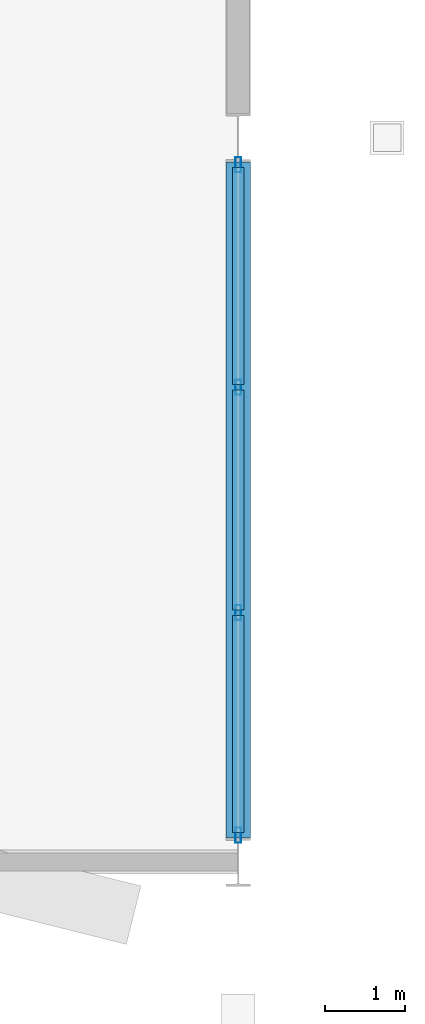
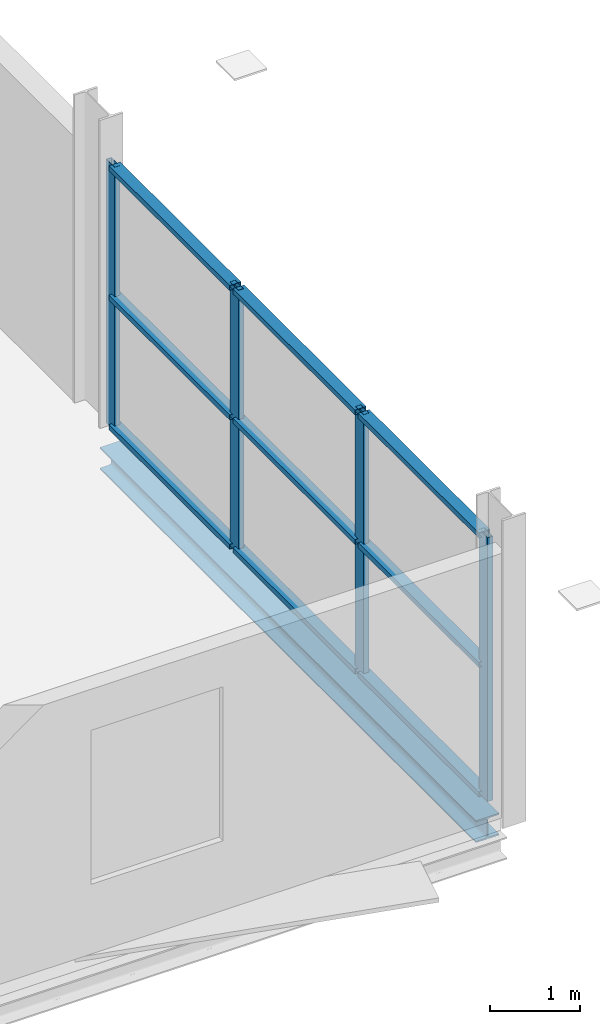
# One storey, part 84 of 132: 13 members, 1 beam, 1 element without a shape of its own.
"""IFC4 building model written with IfcOpenShell, lengths in metres."""

from ifc_helpers import new_model, si_unit, direction, frame, origin, origin_2d, place, context, subcontext, project, spatial, hollow_rectangle, i_section, extrude, material, layer, layer_set, material_profile, profile_set, type_object, element, aggregate, save


model = new_model("IFC4")

# Units and contexts
model_context = context("Model", 3, precision=1e-05, world=origin(), true_north=direction((0.0, 1.0)))
body_context = subcontext(model_context, "Body", "Model", "MODEL_VIEW")
ifc_project = project(units=[si_unit("LENGTHUNIT", "METRE"), si_unit("AREAUNIT", "SQUARE_METRE"), si_unit("VOLUMEUNIT", "CUBIC_METRE"), si_unit("PLANEANGLEUNIT", "RADIAN"), si_unit("MASSUNIT", "GRAM", prefix="KILO")], contexts=[model_context])

# Site, building, storey
site_placement = place(None, origin())
site = spatial("IfcSite", under=ifc_project, at=site_placement, CompositionType="ELEMENT")
building_placement = place(site_placement, origin())
building = spatial("IfcBuilding", under=site, at=building_placement, Name="Deido Ridge Mobility Hub", CompositionType="ELEMENT")
storey_placement = place(building_placement, frame((0.0, 0.0, 8.39990234375)))
storey = spatial("IfcBuildingStorey", under=building, at=storey_placement, Name="L02", CompositionType="ELEMENT", Elevation=8.39990234375)

# Curtain wall, members
ifc_material_1 = material(Name="Anodised aluminium EN AW-6063 T6", Category="aluminium")
ifc_layer = layer(ifc_material_1, 0.22509765625, Name="Anodised aluminium EN AW-6063 T6")
ifc_layer_set = layer_set([ifc_layer], Name="Anodised aluminium EN AW-6063 T6")
curtain_wall_type = type_object("IfcCurtainWallType", Name="CW-UF-5", PredefinedType="USERDEFINED", material=ifc_layer_set)
curtain_wall_placement = place(storey_placement, origin())
curtain_wall = element("IfcCurtainWall", 1, at=curtain_wall_placement, inside=storey, type_object=curtain_wall_type, Name="Unitised curtain wall CW5", ObjectType="UNITISED FACADE", PredefinedType="USERDEFINED")
ifc_material_profile_1 = material_profile(ifc_material_1, hollow_rectangle(XDim=0.070068359375, YDim=0.18994140625, WallThickness=0.00390625, at=origin_2d()), Name="RHS 70x190x4")
ifc_profile_set_1 = profile_set([ifc_material_profile_1], Name="Anodised aluminium EN AW-6063 T6")
member_type_1 = type_object("IfcMemberType", Name="MEM-MUL-70X190", PredefinedType="MULLION", material=ifc_profile_set_1)
member_1_placement = place(storey_placement, frame((180.0, 0.3349609375, 0.0), z_axis=(0.0, 0.0, 1.0), x_axis=(-1.0, 0.0, 0.0)))
member_1 = element("IfcMember", 2, at=member_1_placement, type_object=member_type_1, Name="CW5 mullion 1", PredefinedType="MULLION", context=body_context, shape_type="SweptSolid", body=[
    extrude(hollow_rectangle(XDim=0.070068359375, YDim=0.18994140625, WallThickness=0.00390625, at=origin_2d()), origin(), (0.0, 0.0, 1.0), 3.60009765625),
])
member_2_placement = place(storey_placement, frame((180.0, 3.10009765625, 0.0), z_axis=(0.0, 0.0, 1.0), x_axis=(-1.0, 0.0, 0.0)))
member_2 = element("IfcMember", 3, at=member_2_placement, type_object=member_type_1, Name="CW5 mullion 2", PredefinedType="MULLION", context=body_context, shape_type="SweptSolid", body=[
    extrude(hollow_rectangle(XDim=0.070068359375, YDim=0.18994140625, WallThickness=0.00390625, at=origin_2d()), origin(), (0.0, 0.0, 1.0), 3.60009765625),
])
member_3_placement = place(storey_placement, frame((180.0, 5.89990234375, 0.0), z_axis=(0.0, 0.0, 1.0), x_axis=(-1.0, 0.0, 0.0)))
member_3 = element("IfcMember", 4, at=member_3_placement, type_object=member_type_1, Name="CW5 mullion 3", PredefinedType="MULLION", context=body_context, shape_type="SweptSolid", body=[
    extrude(hollow_rectangle(XDim=0.070068359375, YDim=0.18994140625, WallThickness=0.00390625, at=origin_2d()), origin(), (0.0, 0.0, 1.0), 3.60009765625),
])
member_4_placement = place(storey_placement, frame((180.0, 8.6650390625, 0.0), z_axis=(0.0, 0.0, 1.0), x_axis=(-1.0, 0.0, 0.0)))
member_4 = element("IfcMember", 5, at=member_4_placement, type_object=member_type_1, Name="CW5 mullion 4", PredefinedType="MULLION", context=body_context, shape_type="SweptSolid", body=[
    extrude(hollow_rectangle(XDim=0.070068359375, YDim=0.18994140625, WallThickness=0.00390625, at=origin_2d()), origin(), (0.0, 0.0, 1.0), 3.60009765625),
])
ifc_material_profile_2 = material_profile(ifc_material_1, hollow_rectangle(XDim=0.14501953125, YDim=0.070068359375, WallThickness=0.00390625, at=origin_2d()), Name="RHS 145x70x4")
ifc_profile_set_2 = profile_set([ifc_material_profile_2], Name="Anodised aluminium EN AW-6063 T6")
member_type_2 = type_object("IfcMemberType", Name="MEM-TRN-145X70", PredefinedType="USERDEFINED", material=ifc_profile_set_2)
member_5_placement = place(storey_placement, frame((180.0, 0.3701171875, 0.03515625), z_axis=(0.0, 1.0, 0.0), x_axis=(-1.0, 0.0, 0.0)))
member_5 = element("IfcMember", 6, at=member_5_placement, type_object=member_type_2, Name="CW5 transom 1.1", ObjectType="TRANSOM", PredefinedType="USERDEFINED", context=body_context, shape_type="SweptSolid", body=[
    extrude(hollow_rectangle(XDim=0.14501953125, YDim=0.070068359375, WallThickness=0.00390625, at=origin_2d()), origin(), (0.0, 0.0, 1.0), 2.69482421875),
])
member_6_placement = place(storey_placement, frame((180.0, 0.3701171875, 1.800048828125), z_axis=(0.0, 1.0, 0.0), x_axis=(-1.0, 0.0, 0.0)))
member_6 = element("IfcMember", 7, at=member_6_placement, type_object=member_type_2, Name="CW5 transom 1.2", ObjectType="TRANSOM", PredefinedType="USERDEFINED", context=body_context, shape_type="SweptSolid", body=[
    extrude(hollow_rectangle(XDim=0.14501953125, YDim=0.070068359375, WallThickness=0.00390625, at=origin_2d()), origin(), (0.0, 0.0, 1.0), 2.69482421875),
])
member_7_placement = place(storey_placement, frame((180.0, 0.3701171875, 3.565185546875), z_axis=(0.0, 1.0, 0.0), x_axis=(-1.0, 0.0, 0.0)))
member_7 = element("IfcMember", 8, at=member_7_placement, type_object=member_type_2, Name="CW5 transom 1.3", ObjectType="TRANSOM", PredefinedType="USERDEFINED", context=body_context, shape_type="SweptSolid", body=[
    extrude(hollow_rectangle(XDim=0.14501953125, YDim=0.070068359375, WallThickness=0.00390625, at=origin_2d()), origin(), (0.0, 0.0, 1.0), 2.69482421875),
])
member_8_placement = place(storey_placement, frame((180.0, 3.135009765625, 0.03515625), z_axis=(0.0, 1.0, 0.0), x_axis=(-1.0, 0.0, 0.0)))
member_8 = element("IfcMember", 9, at=member_8_placement, type_object=member_type_2, Name="CW5 transom 2.1", ObjectType="TRANSOM", PredefinedType="USERDEFINED", context=body_context, shape_type="SweptSolid", body=[
    extrude(hollow_rectangle(XDim=0.14501953125, YDim=0.070068359375, WallThickness=0.00390625, at=origin_2d()), origin(), (0.0, 0.0, 1.0), 2.72998046875),
])
member_9_placement = place(storey_placement, frame((180.0, 3.135009765625, 1.800048828125), z_axis=(0.0, 1.0, 0.0), x_axis=(-1.0, 0.0, 0.0)))
member_9 = element("IfcMember", 10, at=member_9_placement, type_object=member_type_2, Name="CW5 transom 2.2", ObjectType="TRANSOM", PredefinedType="USERDEFINED", context=body_context, shape_type="SweptSolid", body=[
    extrude(hollow_rectangle(XDim=0.14501953125, YDim=0.070068359375, WallThickness=0.00390625, at=origin_2d()), origin(), (0.0, 0.0, 1.0), 2.72998046875),
])
member_10_placement = place(storey_placement, frame((180.0, 3.135009765625, 3.565185546875), z_axis=(0.0, 1.0, 0.0), x_axis=(-1.0, 0.0, 0.0)))
member_10 = element("IfcMember", 11, at=member_10_placement, type_object=member_type_2, Name="CW5 transom 2.3", ObjectType="TRANSOM", PredefinedType="USERDEFINED", context=body_context, shape_type="SweptSolid", body=[
    extrude(hollow_rectangle(XDim=0.14501953125, YDim=0.070068359375, WallThickness=0.00390625, at=origin_2d()), origin(), (0.0, 0.0, 1.0), 2.72998046875),
])
member_11_placement = place(storey_placement, frame((180.0, 5.93505859375, 0.03515625), z_axis=(0.0, 1.0, 0.0), x_axis=(-1.0, 0.0, 0.0)))
member_11 = element("IfcMember", 12, at=member_11_placement, type_object=member_type_2, Name="CW5 transom 3.1", ObjectType="TRANSOM", PredefinedType="USERDEFINED", context=body_context, shape_type="SweptSolid", body=[
    extrude(hollow_rectangle(XDim=0.14501953125, YDim=0.070068359375, WallThickness=0.00390625, at=origin_2d()), origin(), (0.0, 0.0, 1.0), 2.69482421875),
])
member_12_placement = place(storey_placement, frame((180.0, 5.93505859375, 1.800048828125), z_axis=(0.0, 1.0, 0.0), x_axis=(-1.0, 0.0, 0.0)))
member_12 = element("IfcMember", 13, at=member_12_placement, type_object=member_type_2, Name="CW5 transom 3.2", ObjectType="TRANSOM", PredefinedType="USERDEFINED", context=body_context, shape_type="SweptSolid", body=[
    extrude(hollow_rectangle(XDim=0.14501953125, YDim=0.070068359375, WallThickness=0.00390625, at=origin_2d()), origin(), (0.0, 0.0, 1.0), 2.69482421875),
])
member_13_placement = place(storey_placement, frame((180.0, 5.93505859375, 3.565185546875), z_axis=(0.0, 1.0, 0.0), x_axis=(-1.0, 0.0, 0.0)))
member_13 = element("IfcMember", 14, at=member_13_placement, type_object=member_type_2, Name="CW5 transom 3.3", ObjectType="TRANSOM", PredefinedType="USERDEFINED", context=body_context, shape_type="SweptSolid", body=[
    extrude(hollow_rectangle(XDim=0.14501953125, YDim=0.070068359375, WallThickness=0.00390625, at=origin_2d()), origin(), (0.0, 0.0, 1.0), 2.69482421875),
])
aggregate(curtain_wall, [member_1, member_2, member_3, member_4, member_5, member_6, member_7, member_8, member_9, member_10, member_11, member_12, member_13])

# Beam
ifc_material_2 = material(Name="Steel S355J2 EN 10025-2", Category="steel")
ifc_material_profile_3 = material_profile(ifc_material_2, i_section(OverallWidth=0.300048828125, OverallDepth=0.300048828125, WebThickness=0.010986328125, FlangeThickness=0.01904296875, FilletRadius=0.027099609375, at=origin_2d()), Name="HEB 300")
ifc_profile_set_3 = profile_set([ifc_material_profile_3], Name="Steel S355J2 EN 10025-2")
beam_type = type_object("IfcBeamType", Name="SPD-HEB300", PredefinedType="SPANDREL", material=ifc_profile_set_3)
beam_placement = place(storey_placement, frame((180.0, 0.300048828125, -0.40478515625), z_axis=(0.0, 1.0, 0.0), x_axis=(-1.0, 0.0, 0.0)))
element("IfcBeam", 15, at=beam_placement, inside=storey, type_object=beam_type, Name="Floor beam SP1", PredefinedType="SPANDREL", context=body_context, shape_type="SweptSolid", body=[
    extrude(i_section(OverallWidth=0.300048828125, OverallDepth=0.300048828125, WebThickness=0.010986328125, FlangeThickness=0.01904296875, FilletRadius=0.027099609375, at=origin_2d()), origin(), (0.0, 0.0, 1.0), 8.39990234375),
])

save(model, "model.ifc")
